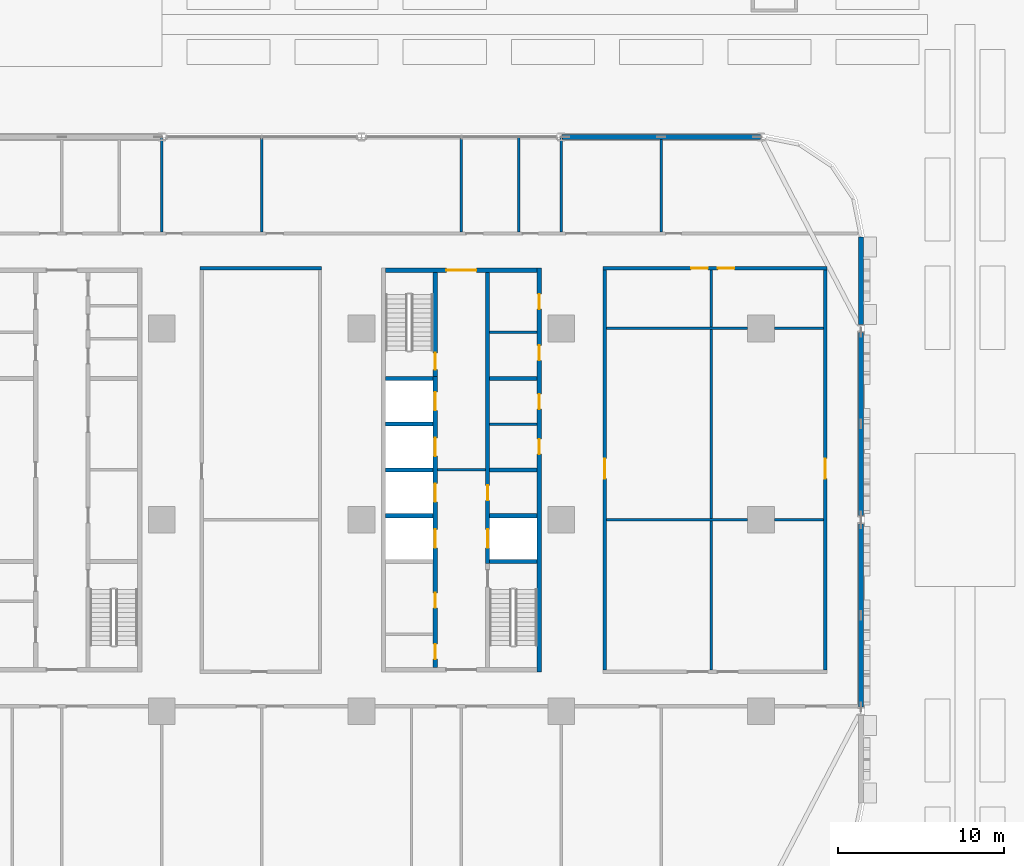
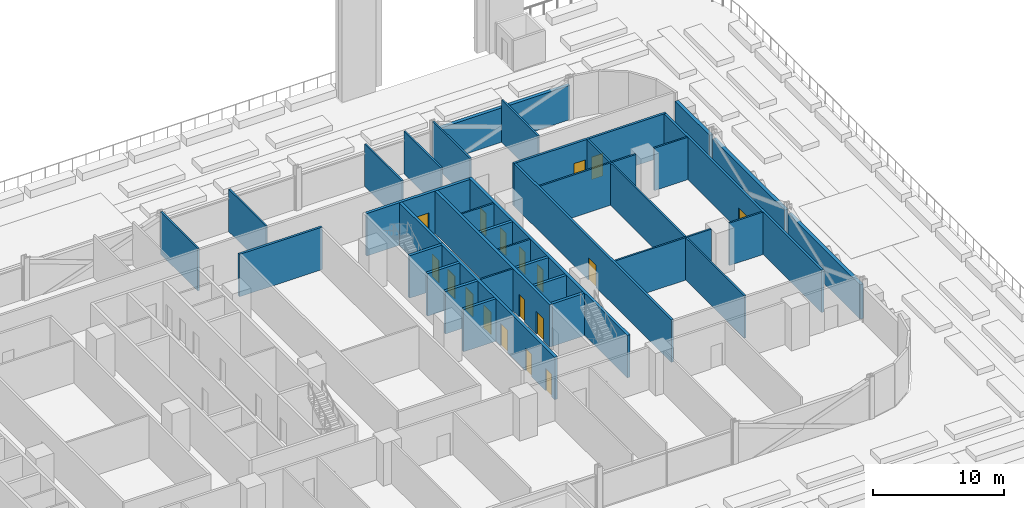
# One storey, part 17 of 39: 35 walls, 18 doors, 18 openings.
"""IFC4 building model written with IfcOpenShell, lengths in metres."""

import ifcopenshell
import ifcopenshell.guid

model = None  # the IFC model being written
_history = None  # IfcOwnerHistory: only IFC2X3 demands one
_inside = {}  # id of a spatial element -> (the spatial element, [elements in it])
_under = {}  # id of a project, library or spatial element -> (it, [spatial elements below it])
_declared = {}  # id of a project -> (the project, [libraries it declares])
_typed = {}  # id of a type object -> (the type object, [elements of that type])
_made_of = {}  # id of a material, layer set ... -> (it, [elements and type objects made of it])


def new_model(schema):
    """Start an empty IFC model of exactly this schema.

    Asked for "IFC4X3", IfcOpenShell would pick the latest addendum, in which some entities
    have other attributes; the version numbers below select the first issue.
    IFC2X3 requires an IfcOwnerHistory on every rooted entity: one is made here for all.
    """
    global model, _history
    if schema == "IFC4X3":
        model = ifcopenshell.file(schema_version=(4, 3, 0, 0))
    else:
        model = ifcopenshell.file(schema=schema)
    _inside.clear()
    _under.clear()
    _declared.clear()
    _typed.clear()
    _made_of.clear()
    _history = None
    if model.schema == "IFC2X3":
        org = make("IfcOrganization", Name="unknown")
        user = make(
            "IfcPersonAndOrganization",
            ThePerson=make("IfcPerson", FamilyName="unknown"),
            TheOrganization=org,
        )
        app = make(
            "IfcApplication",
            ApplicationDeveloper=org,
            Version="unknown",
            ApplicationFullName="unknown",
            ApplicationIdentifier="unknown",
        )
        _history = make(
            "IfcOwnerHistory",
            OwningUser=user,
            OwningApplication=app,
            ChangeAction="ADDED",
            CreationDate=0,
        )
    return model


def make(cls, **values):
    """One entity of the class cls with the attributes given. An attribute that is None is left unset."""
    return model.create_entity(
        cls, **{name: value for name, value in values.items() if value is not None}
    )


def rooted(cls, **values):
    """An entity with a GlobalId (a new one), such as an element, a storey or a relation."""
    return make(cls, GlobalId=ifcopenshell.guid.new(), OwnerHistory=_history, **values)


def si_unit(unit_type, name, prefix=None):
    """IfcSIUnit, for example si_unit("LENGTHUNIT", "METRE", prefix="MILLI")."""
    return make("IfcSIUnit", UnitType=unit_type, Prefix=prefix, Name=name)


def assignment(units):
    """IfcUnitAssignment: the units of a project."""
    return None if units is None else make("IfcUnitAssignment", Units=units)


def point(xyz):
    """IfcCartesianPoint."""
    return None if xyz is None else make("IfcCartesianPoint", Coordinates=xyz)


def direction(xyz):
    """IfcDirection."""
    return None if xyz is None else make("IfcDirection", DirectionRatios=xyz)


def frame(location, z_axis=None, x_axis=None):
    """IfcAxis2Placement3D, a coordinate frame: its origin and axes. An axis left out is left unset."""
    return make(
        "IfcAxis2Placement3D",
        Location=point(location),
        Axis=direction(z_axis),
        RefDirection=direction(x_axis),
    )


def frame_2d(location, x_axis=None):
    """IfcAxis2Placement2D, a coordinate frame in the plane: its origin and x axis."""
    return make(
        "IfcAxis2Placement2D", Location=point(location), RefDirection=direction(x_axis)
    )


def origin():
    """The frame at (0, 0, 0) with its axes left unset."""
    return frame((0.0, 0.0, 0.0))


def place(relative_to, where):
    """IfcLocalPlacement: puts the frame where relative to a parent placement (None: the world)."""
    return make(
        "IfcLocalPlacement", PlacementRelTo=relative_to, RelativePlacement=where
    )


def context(
    kind, dimensions, precision=None, world=None, true_north=None, identifier=None
):
    """IfcGeometricRepresentationContext, for example the 3D "Model" context."""
    return make(
        "IfcGeometricRepresentationContext",
        ContextIdentifier=identifier,
        ContextType=kind,
        CoordinateSpaceDimension=dimensions,
        Precision=precision,
        WorldCoordinateSystem=world,
        TrueNorth=true_north,
    )


def subcontext(parent, identifier, kind, view, scale=None):
    """IfcGeometricRepresentationSubContext, for example "Body" below "Model"."""
    return make(
        "IfcGeometricRepresentationSubContext",
        ContextIdentifier=identifier,
        ContextType=kind,
        ParentContext=parent,
        TargetScale=scale,
        TargetView=view,
    )


def project(units=None, contexts=None):
    """IfcProject with its units and contexts."""
    return rooted(
        "IfcProject",
        Name="project",
        RepresentationContexts=contexts,
        UnitsInContext=assignment(units),
    )


def spatial(cls, under=None, at=None, **own):
    """A site, building, storey or space (cls), placed at a placement, below another one or the project."""
    s = rooted(cls, ObjectPlacement=at, **own)
    if under is not None:
        _under.setdefault(under.id(), (under, []))[1].append(s)
    return s


def profile(cls, at=None, kind="AREA", **sizes):
    """A parametric profile (cls). Its sizes go by their IFC names, for example OverallWidth=200.0."""
    return make(cls, ProfileType=kind, Position=at, **sizes)


def rectangle(**sizes):
    """IfcRectangleProfileDef."""
    return profile("IfcRectangleProfileDef", **sizes)


def extrude(swept, where, along, depth):
    """IfcExtrudedAreaSolid: the profile swept, set in the frame where, extruded along a direction by depth."""
    return make(
        "IfcExtrudedAreaSolid",
        SweptArea=swept,
        Position=where,
        ExtrudedDirection=direction(along),
        Depth=depth,
    )


def shape(context_of_items, identifier, shape_type, items):
    """IfcShapeRepresentation: the items that make up one representation, for example the "Body"."""
    return make(
        "IfcShapeRepresentation",
        ContextOfItems=context_of_items,
        RepresentationIdentifier=identifier,
        RepresentationType=shape_type,
        Items=items,
    )


def material(Name=None, Category=None):
    """IfcMaterial."""
    return make("IfcMaterial", Name=Name, Category=Category)


def layer(
    of_material, thickness, ventilated=None, Name=None, Category=None, Priority=None
):
    """IfcMaterialLayer: one layer of a wall or slab, of a material (None: an air gap)."""
    return make(
        "IfcMaterialLayer",
        Material=of_material,
        LayerThickness=thickness,
        IsVentilated=ventilated,
        Name=Name,
        Category=Category,
        Priority=Priority,
    )


def layer_set(layers, Name=None):
    """IfcMaterialLayerSet."""
    return make("IfcMaterialLayerSet", MaterialLayers=layers, LayerSetName=Name)


def made_of(thing, what):
    """Note that an element or type object is made of a material, layer set ...; save() writes the relation."""
    if what is not None:
        _made_of.setdefault(what.id(), (what, []))[1].append(thing)
    return thing


def type_object(cls, material=None, **own):
    """A type object (cls), such as IfcWallType, which elements share."""
    return made_of(rooted(cls, **own), material)


def element(
    cls,
    number,
    at=None,
    inside=None,
    cuts=None,
    type_object=None,
    material=None,
    context=None,
    identifier="Body",
    shape_type=None,
    held_by="IfcProductDefinitionShape",
    body=None,
    shapes=None,
    **own,
):
    """One element of the class cls, such as IfcWall. Its Tag is "e" and its number.

    at: its placement. inside: the storey or other place that contains it. cuts: it is an
    opening in that element (IfcRelVoidsElement). A single representation is given by context,
    identifier, shape_type and body (its items); several are given by shapes. held_by: the class
    of the entity that holds the representations. save() writes the other relations.
    """
    e = rooted(cls, Tag="e%d" % number, ObjectPlacement=at, **own)
    if body is not None:
        shapes = [shape(context, identifier, shape_type, body)]
    if shapes is not None:
        e.Representation = make(held_by, Representations=shapes)
    if inside is not None:
        _inside.setdefault(inside.id(), (inside, []))[1].append(e)
    if cuts is not None:
        rooted(
            "IfcRelVoidsElement", RelatingBuildingElement=cuts, RelatedOpeningElement=e
        )
    if type_object is not None:
        _typed.setdefault(type_object.id(), (type_object, []))[1].append(e)
    return made_of(e, material)


def fill(opening, filler):
    """IfcRelFillsElement: the door or window that sits in an opening."""
    return rooted(
        "IfcRelFillsElement",
        RelatingOpeningElement=opening,
        RelatedBuildingElement=filler,
    )


def aggregate(whole, parts):
    """IfcRelAggregates: a whole, such as a stair, and the parts it consists of."""
    return rooted("IfcRelAggregates", RelatingObject=whole, RelatedObjects=parts)


def save(model, path):
    """Write the relations noted so far, then the file.

    IfcRelAggregates (storeys below a building ...), IfcRelContainedInSpatialStructure (elements
    in a storey), IfcRelDefinesByType, IfcRelAssociatesMaterial and IfcRelDeclares: one each for
    every whole, place, type object, material and project.
    """
    for whole, parts in _under.values():
        aggregate(whole, parts)
    for where, things in _inside.values():
        rooted(
            "IfcRelContainedInSpatialStructure",
            RelatedElements=things,
            RelatingStructure=where,
        )
    for kind, things in _typed.values():
        rooted("IfcRelDefinesByType", RelatedObjects=things, RelatingType=kind)
    for what, things in _made_of.values():
        rooted("IfcRelAssociatesMaterial", RelatedObjects=things, RelatingMaterial=what)
    for by, libraries in _declared.values():
        rooted("IfcRelDeclares", RelatingContext=by, RelatedDefinitions=libraries)
    model.write(path)


model = new_model("IFC4")

# Units and contexts
model_context = context("Model", 3, precision=1e-05, world=origin(), true_north=direction((0.0, 1.0)))
body_context = subcontext(model_context, "Body", "Model", "MODEL_VIEW")
ifc_project = project(units=[si_unit("LENGTHUNIT", "METRE"), si_unit("AREAUNIT", "SQUARE_METRE"), si_unit("VOLUMEUNIT", "CUBIC_METRE"), si_unit("PLANEANGLEUNIT", "RADIAN"), si_unit("MASSUNIT", "GRAM", prefix="KILO")], contexts=[model_context])

# Site, building, storey
site_placement = place(None, origin())
site = spatial("IfcSite", under=ifc_project, at=site_placement, CompositionType="ELEMENT")
building_placement = place(site_placement, origin())
building = spatial("IfcBuilding", under=site, at=building_placement, Name="Mahtab Terrace Research Tower", CompositionType="ELEMENT")
storey_placement = place(building_placement, frame((0.0, 0.0, 7.199951171875)))
storey = spatial("IfcBuildingStorey", under=building, at=storey_placement, Name="L01", CompositionType="ELEMENT", Elevation=7.199951171875)

# Walls
ifc_material_1 = material(Name="Gypsum board partition")
ifc_layer_1 = layer(ifc_material_1, 0.14990234375)
ifc_layer_set_1 = layer_set([ifc_layer_1], Name="Core partition 150")
wall_type_1 = type_object("IfcWallType", Name="Core partition 150", PredefinedType="PARTITIONING", material=ifc_layer_set_1)
wall_1_placement = place(storey_placement, frame((22.550048828125, 3.0, 0.0), z_axis=(0.0, 0.0, 1.0), x_axis=(1.0, 0.0, 0.0)))
element("IfcWall", 1, at=wall_1_placement, inside=storey, type_object=wall_type_1, Name="Core wall C ffl", PredefinedType="PARTITIONING", context=body_context, shape_type="SweptSolid", body=[
    extrude(rectangle(XDim=2.89990234375, YDim=0.14990234375, at=frame_2d((1.449951171875, 0.0))), origin(), (0.0, 0.0, 1.0), 3.9599609375),
])
for number, where, z_axis, x_axis, name in (
    (2, (25.699951171875, 5.75, 0.0), (0.0, 0.0, 1.0), (1.0, 0.0, 0.0), "Core wall C pEL275"),
    (3, (25.699951171875, 11.27490234375, 0.0), (0.0, 0.0, 1.0), (1.0, 0.0, 0.0), "Core wall C pEN828"),
):
    element("IfcWall", number, at=place(storey_placement, frame(where, z_axis=z_axis, x_axis=x_axis)), inside=storey, type_object=wall_type_1, Name=name, PredefinedType="PARTITIONING", context=body_context, shape_type="SweptSolid", body=[
        extrude(rectangle(XDim=2.85009765625, YDim=0.14990234375, at=frame_2d((1.425048828125, 0.0))), origin(), (0.0, 0.0, 1.0), 3.9599609375),
    ])

# Wall, openings, doors
ifc_material_2 = material(Name="Concrete C70/85", Category="concrete")
ifc_layer_2 = layer(ifc_material_2, 0.25)
ifc_layer_set_2 = layer_set([ifc_layer_2], Name="Core wall 250")
wall_type_2 = type_object("IfcWallType", Name="Core wall 250", PredefinedType="SOLIDWALL", material=ifc_layer_set_2)
wall_2_placement = place(storey_placement, frame((28.675048828125, -9.125, 0.0), z_axis=(0.0, 0.0, 1.0), x_axis=(0.0, 1.0, 0.0)))
wall_2 = element("IfcWall", 4, at=wall_2_placement, inside=storey, type_object=wall_type_2, Name="Core wall C outerE", PredefinedType="SOLIDWALL", context=body_context, shape_type="SweptSolid", body=[
    extrude(rectangle(XDim=24.25, YDim=0.25, at=frame_2d((12.125, 0.0))), origin(), (0.0, 0.0, 1.0), 3.9599609375),
])
opening_1_placement = place(wall_2_placement, frame((13.074951171875, 0.0, 0.0)))
opening_1 = element("IfcOpeningElement", 5, at=opening_1_placement, cuts=wall_2, Name="Opening C-R2", PredefinedType="OPENING", context=body_context, shape_type="SweptSolid", body=[
    extrude(rectangle(XDim=0.89990234375, YDim=2.10009765625, at=frame_2d((0.449951171875, 1.050048828125))), frame((0.0, 0.135009765625, 0.0), z_axis=(0.0, -1.0, 0.0), x_axis=(1.0, 0.0, 0.0)), (0.0, 0.0, 1.0), 0.27001953125),
])
opening_2_placement = place(wall_2_placement, frame((15.77490234375, 0.0, 0.0)))
opening_2 = element("IfcOpeningElement", 6, at=opening_2_placement, cuts=wall_2, Name="Opening C-R3", PredefinedType="OPENING", context=body_context, shape_type="SweptSolid", body=[
    extrude(rectangle(XDim=0.89990234375, YDim=2.10009765625, at=frame_2d((0.449951171875, 1.050048828125))), frame((0.0, 0.135009765625, 0.0), z_axis=(0.0, -1.0, 0.0), x_axis=(1.0, 0.0, 0.0)), (0.0, 0.0, 1.0), 0.27001953125),
])
opening_3_placement = place(wall_2_placement, frame((18.71240234375, 0.0, 0.0)))
opening_3 = element("IfcOpeningElement", 7, at=opening_3_placement, cuts=wall_2, Name="Opening C-R6", PredefinedType="OPENING", context=body_context, shape_type="SweptSolid", body=[
    extrude(rectangle(XDim=0.89990234375, YDim=2.10009765625, at=frame_2d((0.449951171875, 1.050048828125))), frame((0.0, 0.135009765625, 0.0), z_axis=(0.0, -1.0, 0.0), x_axis=(1.0, 0.0, 0.0)), (0.0, 0.0, 1.0), 0.27001953125),
])
opening_4_placement = place(wall_2_placement, frame((21.78759765625, 0.0, 0.0)))
opening_4 = element("IfcOpeningElement", 8, at=opening_4_placement, cuts=wall_2, Name="Opening C-R7", PredefinedType="OPENING", context=body_context, shape_type="SweptSolid", body=[
    extrude(rectangle(XDim=0.89990234375, YDim=2.10009765625, at=frame_2d((0.449951171875, 1.050048828125))), frame((0.0, 0.135009765625, 0.0), z_axis=(0.0, -1.0, 0.0), x_axis=(1.0, 0.0, 0.0)), (0.0, 0.0, 1.0), 0.27001953125),
])
ifc_material_3 = material(Name="Steel fire door", Category="steel")
door_type_1 = type_object("IfcDoorType", Name="Room door 900x2100 1 HR", OperationType="NOTDEFINED", PredefinedType="DOOR", material=ifc_material_3)
door_1_placement = place(opening_1_placement, origin())
door_1 = element("IfcDoor", 9, at=door_1_placement, inside=storey, type_object=door_type_1, Name="Document store door", OperationType="SINGLE_SWING_RIGHT", OverallHeight=2.10009765625, OverallWidth=0.89990234375, PredefinedType="DOOR", context=body_context, shape_type="SweptSolid", body=[
    extrude(rectangle(XDim=0.89990234375, YDim=2.10009765625, at=frame_2d((0.449951171875, 1.050048828125))), frame((0.0, 0.02490234375, 0.0), z_axis=(0.0, -1.0, 0.0), x_axis=(1.0, 0.0, 0.0)), (0.0, 0.0, 1.0), 0.050048828125),
])
fill(opening_1, door_1)
door_2_placement = place(opening_2_placement, origin())
door_2 = element("IfcDoor", 10, at=door_2_placement, inside=storey, type_object=door_type_1, Name="IT equipment room door", OperationType="SINGLE_SWING_LEFT", OverallHeight=2.10009765625, OverallWidth=0.89990234375, PredefinedType="DOOR", context=body_context, shape_type="SweptSolid", body=[
    extrude(rectangle(XDim=0.89990234375, YDim=2.10009765625, at=frame_2d((0.449951171875, 1.050048828125))), frame((0.0, 0.02490234375, 0.0), z_axis=(0.0, -1.0, 0.0), x_axis=(1.0, 0.0, 0.0)), (0.0, 0.0, 1.0), 0.050048828125),
])
fill(opening_2, door_2)
door_3_placement = place(opening_3_placement, origin())
door_3 = element("IfcDoor", 11, at=door_3_placement, inside=storey, type_object=door_type_1, Name="Mechanical riser room door", OperationType="SINGLE_SWING_RIGHT", OverallHeight=2.10009765625, OverallWidth=0.89990234375, PredefinedType="DOOR", context=body_context, shape_type="SweptSolid", body=[
    extrude(rectangle(XDim=0.89990234375, YDim=2.10009765625, at=frame_2d((0.449951171875, 1.050048828125))), frame((0.0, 0.02490234375, 0.0), z_axis=(0.0, -1.0, 0.0), x_axis=(1.0, 0.0, 0.0)), (0.0, 0.0, 1.0), 0.050048828125),
])
fill(opening_3, door_3)
door_4_placement = place(opening_4_placement, origin())
door_4 = element("IfcDoor", 12, at=door_4_placement, inside=storey, type_object=door_type_1, Name="Chemical store door", OperationType="SINGLE_SWING_LEFT", OverallHeight=2.10009765625, OverallWidth=0.89990234375, PredefinedType="DOOR", context=body_context, shape_type="SweptSolid", body=[
    extrude(rectangle(XDim=0.89990234375, YDim=2.10009765625, at=frame_2d((0.449951171875, 1.050048828125))), frame((0.0, 0.02490234375, 0.0), z_axis=(0.0, -1.0, 0.0), x_axis=(1.0, 0.0, 0.0)), (0.0, 0.0, 1.0), 0.050048828125),
])
fill(opening_4, door_4)

# Wall, opening, door
wall_3_placement = place(storey_placement, frame((19.449951171875, 15.0, 0.0), z_axis=(0.0, 0.0, 1.0), x_axis=(1.0, 0.0, 0.0)))
wall_3 = element("IfcWall", 13, at=wall_3_placement, inside=storey, type_object=wall_type_2, Name="Core wall C endN", PredefinedType="SOLIDWALL", context=body_context, shape_type="SweptSolid", body=[
    extrude(rectangle(XDim=9.10009765625, YDim=0.25, at=frame_2d((4.550048828125, 0.0))), origin(), (0.0, 0.0, 1.0), 3.9599609375),
])
opening_5_placement = place(wall_3_placement, frame((3.64990234375, 0.0, 0.0)))
opening_5 = element("IfcOpeningElement", 14, at=opening_5_placement, cuts=wall_3, Name="Opening C-N1", PredefinedType="OPENING", context=body_context, shape_type="SweptSolid", body=[
    extrude(rectangle(XDim=1.800048828125, YDim=2.10009765625, at=frame_2d((0.89990234375, 1.050048828125))), frame((0.0, 0.135009765625, 0.0), z_axis=(0.0, -1.0, 0.0), x_axis=(1.0, 0.0, 0.0)), (0.0, 0.0, 1.0), 0.27001953125),
])
door_type_2 = type_object("IfcDoorType", Name="Lobby double door 1800x2100 1 HR", OperationType="DOUBLE_DOOR_SINGLE_SWING", PredefinedType="DOOR", material=ifc_material_3)
door_5_placement = place(opening_5_placement, origin())
door_5 = element("IfcDoor", 15, at=door_5_placement, inside=storey, type_object=door_type_2, Name="Core entrance door C N", OperationType="DOUBLE_DOOR_SINGLE_SWING", OverallHeight=2.10009765625, OverallWidth=1.800048828125, PredefinedType="DOOR", context=body_context, shape_type="SweptSolid", body=[
    extrude(rectangle(XDim=1.800048828125, YDim=2.10009765625, at=frame_2d((0.89990234375, 1.050048828125))), frame((0.0, 0.02490234375, 0.0), z_axis=(0.0, -1.0, 0.0), x_axis=(1.0, 0.0, 0.0)), (0.0, 0.0, 1.0), 0.050048828125),
])
fill(opening_5, door_5)

# Wall, openings, doors
wall_4_placement = place(storey_placement, frame((22.425048828125, -8.875, 0.0), z_axis=(0.0, 0.0, 1.0), x_axis=(0.0, 1.0, 0.0)))
wall_4 = element("IfcWall", 16, at=wall_4_placement, inside=storey, type_object=wall_type_2, Name="Core wall C innerWSL", PredefinedType="SOLIDWALL", context=body_context, shape_type="SweptSolid", body=[
    extrude(rectangle(XDim=17.5, YDim=0.25, at=frame_2d((8.75, 0.0))), origin(), (0.0, 0.0, 1.0), 3.9599609375),
])
opening_6_placement = place(wall_4_placement, frame((7.199951171875, 0.0, 0.0)))
opening_6 = element("IfcOpeningElement", 17, at=opening_6_placement, cuts=wall_4, Name="Opening LD17-L01", PredefinedType="OPENING", context=body_context, shape_type="SweptSolid", body=[
    extrude(rectangle(XDim=1.10009765625, YDim=2.10009765625, at=frame_2d((0.550048828125, 1.050048828125))), frame((0.0, 0.135009765625, 0.0), z_axis=(0.0, -1.0, 0.0), x_axis=(1.0, 0.0, 0.0)), (0.0, 0.0, 1.0), 0.27001953125),
])
opening_7_placement = place(wall_4_placement, frame((9.949951171875, 0.0, 0.0)))
opening_7 = element("IfcOpeningElement", 18, at=opening_7_placement, cuts=wall_4, Name="Opening LD18-L01", PredefinedType="OPENING", context=body_context, shape_type="SweptSolid", body=[
    extrude(rectangle(XDim=1.10009765625, YDim=2.10009765625, at=frame_2d((0.550048828125, 1.050048828125))), frame((0.0, 0.135009765625, 0.0), z_axis=(0.0, -1.0, 0.0), x_axis=(1.0, 0.0, 0.0)), (0.0, 0.0, 1.0), 0.27001953125),
])
opening_8_placement = place(wall_4_placement, frame((12.699951171875, 0.0, 0.0)))
opening_8 = element("IfcOpeningElement", 19, at=opening_8_placement, cuts=wall_4, Name="Opening LD19-L01", PredefinedType="OPENING", context=body_context, shape_type="SweptSolid", body=[
    extrude(rectangle(XDim=1.10009765625, YDim=2.10009765625, at=frame_2d((0.550048828125, 1.050048828125))), frame((0.0, 0.135009765625, 0.0), z_axis=(0.0, -1.0, 0.0), x_axis=(1.0, 0.0, 0.0)), (0.0, 0.0, 1.0), 0.27001953125),
])
opening_9_placement = place(wall_4_placement, frame((15.449951171875, 0.0, 0.0)))
opening_9 = element("IfcOpeningElement", 20, at=opening_9_placement, cuts=wall_4, Name="Opening LD20-L01", PredefinedType="OPENING", context=body_context, shape_type="SweptSolid", body=[
    extrude(rectangle(XDim=1.10009765625, YDim=2.10009765625, at=frame_2d((0.550048828125, 1.050048828125))), frame((0.0, 0.135009765625, 0.0), z_axis=(0.0, -1.0, 0.0), x_axis=(1.0, 0.0, 0.0)), (0.0, 0.0, 1.0), 0.27001953125),
])
opening_10_placement = place(wall_4_placement, frame((0.512451171875, 0.0, 0.0)))
opening_10 = element("IfcOpeningElement", 21, at=opening_10_placement, cuts=wall_4, Name="Opening C-R4", PredefinedType="OPENING", context=body_context, shape_type="SweptSolid", body=[
    extrude(rectangle(XDim=0.89990234375, YDim=2.10009765625, at=frame_2d((0.449951171875, 1.050048828125))), frame((0.0, 0.135009765625, 0.0), z_axis=(0.0, -1.0, 0.0), x_axis=(1.0, 0.0, 0.0)), (0.0, 0.0, 1.0), 0.27001953125),
])
opening_11_placement = place(wall_4_placement, frame((3.58740234375, 0.0, 0.0)))
opening_11 = element("IfcOpeningElement", 22, at=opening_11_placement, cuts=wall_4, Name="Opening C-R5", PredefinedType="OPENING", context=body_context, shape_type="SweptSolid", body=[
    extrude(rectangle(XDim=0.89990234375, YDim=2.10009765625, at=frame_2d((0.449951171875, 1.050048828125))), frame((0.0, 0.135009765625, 0.0), z_axis=(0.0, -1.0, 0.0), x_axis=(1.0, 0.0, 0.0)), (0.0, 0.0, 1.0), 0.27001953125),
])
ifc_material_4 = material(Name="Stainless steel AISI 304", Category="steel")
door_type_3 = type_object("IfcDoorType", Name="Landing door 1100x2100", OperationType="DOUBLE_DOOR_SLIDING", PredefinedType="DOOR", material=ifc_material_4)
door_6_placement = place(opening_6_placement, origin())
door_6 = element("IfcDoor", 23, at=door_6_placement, inside=storey, type_object=door_type_3, Name="Landing door SV1 L01", OperationType="DOUBLE_DOOR_SLIDING", OverallHeight=2.10009765625, OverallWidth=1.10009765625, PredefinedType="DOOR", context=body_context, shape_type="SweptSolid", body=[
    extrude(rectangle(XDim=1.10009765625, YDim=2.10009765625, at=frame_2d((0.550048828125, 1.050048828125))), frame((0.0, 0.02490234375, 0.0), z_axis=(0.0, -1.0, 0.0), x_axis=(1.0, 0.0, 0.0)), (0.0, 0.0, 1.0), 0.050048828125),
])
fill(opening_6, door_6)
door_7_placement = place(opening_7_placement, origin())
door_7 = element("IfcDoor", 24, at=door_7_placement, inside=storey, type_object=door_type_3, Name="Landing door SV2 L01", OperationType="DOUBLE_DOOR_SLIDING", OverallHeight=2.10009765625, OverallWidth=1.10009765625, PredefinedType="DOOR", context=body_context, shape_type="SweptSolid", body=[
    extrude(rectangle(XDim=1.10009765625, YDim=2.10009765625, at=frame_2d((0.550048828125, 1.050048828125))), frame((0.0, 0.02490234375, 0.0), z_axis=(0.0, -1.0, 0.0), x_axis=(1.0, 0.0, 0.0)), (0.0, 0.0, 1.0), 0.050048828125),
])
fill(opening_7, door_7)
door_8_placement = place(opening_8_placement, origin())
door_8 = element("IfcDoor", 25, at=door_8_placement, inside=storey, type_object=door_type_3, Name="Landing door FF1 L01", OperationType="DOUBLE_DOOR_SLIDING", OverallHeight=2.10009765625, OverallWidth=1.10009765625, PredefinedType="DOOR", context=body_context, shape_type="SweptSolid", body=[
    extrude(rectangle(XDim=1.10009765625, YDim=2.10009765625, at=frame_2d((0.550048828125, 1.050048828125))), frame((0.0, 0.02490234375, 0.0), z_axis=(0.0, -1.0, 0.0), x_axis=(1.0, 0.0, 0.0)), (0.0, 0.0, 1.0), 0.050048828125),
])
fill(opening_8, door_8)
door_9_placement = place(opening_9_placement, origin())
door_9 = element("IfcDoor", 26, at=door_9_placement, inside=storey, type_object=door_type_3, Name="Landing door FF2 L01", OperationType="DOUBLE_DOOR_SLIDING", OverallHeight=2.10009765625, OverallWidth=1.10009765625, PredefinedType="DOOR", context=body_context, shape_type="SweptSolid", body=[
    extrude(rectangle(XDim=1.10009765625, YDim=2.10009765625, at=frame_2d((0.550048828125, 1.050048828125))), frame((0.0, 0.02490234375, 0.0), z_axis=(0.0, -1.0, 0.0), x_axis=(1.0, 0.0, 0.0)), (0.0, 0.0, 1.0), 0.050048828125),
])
fill(opening_9, door_9)
door_10_placement = place(opening_10_placement, origin())
door_10 = element("IfcDoor", 27, at=door_10_placement, inside=storey, type_object=door_type_1, Name="Accessible WC door", OperationType="SINGLE_SWING_RIGHT", OverallHeight=2.10009765625, OverallWidth=0.89990234375, PredefinedType="DOOR", context=body_context, shape_type="SweptSolid", body=[
    extrude(rectangle(XDim=0.89990234375, YDim=2.10009765625, at=frame_2d((0.449951171875, 1.050048828125))), frame((0.0, 0.02490234375, 0.0), z_axis=(0.0, -1.0, 0.0), x_axis=(1.0, 0.0, 0.0)), (0.0, 0.0, 1.0), 0.050048828125),
])
fill(opening_10, door_10)
door_11_placement = place(opening_11_placement, origin())
door_11 = element("IfcDoor", 28, at=door_11_placement, inside=storey, type_object=door_type_1, Name="WC block door", OperationType="SINGLE_SWING_LEFT", OverallHeight=2.10009765625, OverallWidth=0.89990234375, PredefinedType="DOOR", context=body_context, shape_type="SweptSolid", body=[
    extrude(rectangle(XDim=0.89990234375, YDim=2.10009765625, at=frame_2d((0.449951171875, 1.050048828125))), frame((0.0, 0.02490234375, 0.0), z_axis=(0.0, -1.0, 0.0), x_axis=(1.0, 0.0, 0.0)), (0.0, 0.0, 1.0), 0.050048828125),
])
fill(opening_11, door_11)

# Wall, opening, door
wall_5_placement = place(storey_placement, frame((22.425048828125, 14.875, 0.0), z_axis=(0.0, 0.0, 1.0), x_axis=(0.0, -1.0, 0.0)))
wall_5 = element("IfcWall", 29, at=wall_5_placement, inside=storey, type_object=wall_type_2, Name="Core wall C innerWN", PredefinedType="SOLIDWALL", context=body_context, shape_type="SweptSolid", body=[
    extrude(rectangle(XDim=6.25, YDim=0.25, at=frame_2d((3.125, 0.0))), origin(), (0.0, 0.0, 1.0), 3.9599609375),
])
opening_12_placement = place(wall_5_placement, frame((4.85009765625, 0.0, 0.0)))
opening_12 = element("IfcOpeningElement", 30, at=opening_12_placement, cuts=wall_5, Name="Opening C-ST3", PredefinedType="OPENING", context=body_context, shape_type="SweptSolid", body=[
    extrude(rectangle(XDim=1.0, YDim=2.10009765625, at=frame_2d((0.5, 1.050048828125))), frame((0.0, 0.135009765625, 0.0), z_axis=(0.0, -1.0, 0.0), x_axis=(1.0, 0.0, 0.0)), (0.0, 0.0, 1.0), 0.27001953125),
])
door_type_4 = type_object("IfcDoorType", Name="Stair door 1000x2100 1.5 HR", OperationType="NOTDEFINED", PredefinedType="DOOR", material=ifc_material_3)
door_12_placement = place(opening_12_placement, origin())
door_12 = element("IfcDoor", 31, at=door_12_placement, inside=storey, type_object=door_type_4, Name="Stair door ST3 L01", OperationType="SINGLE_SWING_RIGHT", OverallHeight=2.10009765625, OverallWidth=1.0, PredefinedType="DOOR", context=body_context, shape_type="SweptSolid", body=[
    extrude(rectangle(XDim=1.0, YDim=2.10009765625, at=frame_2d((0.5, 1.050048828125))), frame((0.0, 0.02490234375, 0.0), z_axis=(0.0, -1.0, 0.0), x_axis=(1.0, 0.0, 0.0)), (0.0, 0.0, 1.0), 0.050048828125),
])
fill(opening_12, door_12)

# Wall, openings, doors
wall_6_placement = place(storey_placement, frame((25.574951171875, 14.875, 0.0), z_axis=(0.0, 0.0, 1.0), x_axis=(0.0, -1.0, 0.0)))
wall_6 = element("IfcWall", 32, at=wall_6_placement, inside=storey, type_object=wall_type_2, Name="Core wall C innerELN", PredefinedType="SOLIDWALL", context=body_context, shape_type="SweptSolid", body=[
    extrude(rectangle(XDim=17.5, YDim=0.25, at=frame_2d((8.75, 0.0))), origin(), (0.0, 0.0, 1.0), 3.9599609375),
])
opening_13_placement = place(wall_6_placement, frame((15.449951171875, 0.0, 0.0)))
opening_13 = element("IfcOpeningElement", 33, at=opening_13_placement, cuts=wall_6, Name="Opening LD21-L01", PredefinedType="OPENING", context=body_context, shape_type="SweptSolid", body=[
    extrude(rectangle(XDim=1.10009765625, YDim=2.10009765625, at=frame_2d((0.550048828125, 1.050048828125))), frame((0.0, 0.135009765625, 0.0), z_axis=(0.0, -1.0, 0.0), x_axis=(1.0, 0.0, 0.0)), (0.0, 0.0, 1.0), 0.27001953125),
])
opening_14_placement = place(wall_6_placement, frame((12.800048828125, 0.0, 0.0)))
opening_14 = element("IfcOpeningElement", 34, at=opening_14_placement, cuts=wall_6, Name="Opening C-R1", PredefinedType="OPENING", context=body_context, shape_type="SweptSolid", body=[
    extrude(rectangle(XDim=0.89990234375, YDim=2.10009765625, at=frame_2d((0.449951171875, 1.050048828125))), frame((0.0, 0.135009765625, 0.0), z_axis=(0.0, -1.0, 0.0), x_axis=(1.0, 0.0, 0.0)), (0.0, 0.0, 1.0), 0.27001953125),
])
door_13_placement = place(opening_13_placement, origin())
door_13 = element("IfcDoor", 35, at=door_13_placement, inside=storey, type_object=door_type_3, Name="Landing door SV3 L01", OperationType="DOUBLE_DOOR_SLIDING", OverallHeight=2.10009765625, OverallWidth=1.10009765625, PredefinedType="DOOR", context=body_context, shape_type="SweptSolid", body=[
    extrude(rectangle(XDim=1.10009765625, YDim=2.10009765625, at=frame_2d((0.550048828125, 1.050048828125))), frame((0.0, 0.02490234375, 0.0), z_axis=(0.0, -1.0, 0.0), x_axis=(1.0, 0.0, 0.0)), (0.0, 0.0, 1.0), 0.050048828125),
])
fill(opening_13, door_13)
door_14_placement = place(opening_14_placement, origin())
door_14 = element("IfcDoor", 36, at=door_14_placement, inside=storey, type_object=door_type_1, Name="Plant room door", OperationType="SINGLE_SWING_LEFT", OverallHeight=2.10009765625, OverallWidth=0.89990234375, PredefinedType="DOOR", context=body_context, shape_type="SweptSolid", body=[
    extrude(rectangle(XDim=0.89990234375, YDim=2.10009765625, at=frame_2d((0.449951171875, 1.050048828125))), frame((0.0, 0.02490234375, 0.0), z_axis=(0.0, -1.0, 0.0), x_axis=(1.0, 0.0, 0.0)), (0.0, 0.0, 1.0), 0.050048828125),
])
fill(opening_14, door_14)

# Walls
for number, where, z_axis, x_axis, name in (
    (37, (19.449951171875, 0.25, 0.0), (0.0, 0.0, 1.0), (1.0, 0.0, 0.0), "Core wall C divW1"),
    (38, (19.449951171875, 3.0, 0.0), (0.0, 0.0, 1.0), (1.0, 0.0, 0.0), "Core wall C divW2"),
    (39, (19.449951171875, 5.75, 0.0), (0.0, 0.0, 1.0), (1.0, 0.0, 0.0), "Core wall C divW3"),
    (40, (19.449951171875, 8.5, 0.0), (0.0, 0.0, 1.0), (1.0, 0.0, 0.0), "Core wall C divW4"),
    (41, (25.699951171875, -2.5, 0.0), (0.0, 0.0, 1.0), (1.0, 0.0, 0.0), "Core wall C divE0"),
    (42, (25.699951171875, 0.25, 0.0), (0.0, 0.0, 1.0), (1.0, 0.0, 0.0), "Core wall C divE1"),
    (43, (25.699951171875, 3.0, 0.0), (0.0, 0.0, 1.0), (1.0, 0.0, 0.0), "Core wall C divE2"),
    (44, (25.699951171875, 8.5, 0.0), (0.0, 0.0, 1.0), (1.0, 0.0, 0.0), "Core wall C divE4"),
):
    element("IfcWall", number, at=place(storey_placement, frame(where, z_axis=z_axis, x_axis=x_axis)), inside=storey, type_object=wall_type_2, Name=name, PredefinedType="SOLIDWALL", context=body_context, shape_type="SweptSolid", body=[
        extrude(rectangle(XDim=2.85009765625, YDim=0.25, at=frame_2d((1.425048828125, 0.0))), origin(), (0.0, 0.0, 1.0), 3.9599609375),
    ])
ifc_material_5 = material(Name="Black aluminium cladding panel", Category="aluminium")
ifc_layer_3 = layer(ifc_material_5, 0.300048828125)
ifc_layer_set_3 = layer_set([ifc_layer_3], Name="Opaque facade wall 300")
wall_type_3 = type_object("IfcWallType", Name="Opaque facade wall 300", PredefinedType="NOTDEFINED", material=ifc_layer_set_3)
wall_7_placement = place(storey_placement, frame((41.97216796875, 23.0, 0.0), z_axis=(0.0, 0.0, 1.0), x_axis=(-1.0, 0.0, 0.0)))
element("IfcWall", 45, at=wall_7_placement, inside=storey, type_object=wall_type_3, Name="Opaque facade wall L01 N3", PredefinedType="NOTDEFINED", context=body_context, shape_type="SweptSolid", body=[
    extrude(rectangle(XDim=11.9443359375, YDim=0.300048828125, at=frame_2d((5.97216796875, 0.0))), origin(), (0.0, 0.0, 1.0), 3.203125),
])
for number, where, z_axis, x_axis, name in (
    (46, (48.0, -11.2509765625, 0.0), (0.0, 0.0, 1.0), (0.0, 1.0, 0.0), "Opaque facade wall L01 E34"),
    (47, (48.0, 0.2490234375, 0.0), (0.0, 0.0, 1.0), (0.0, 1.0, 0.0), "Opaque facade wall L01 E35"),
):
    element("IfcWall", number, at=place(storey_placement, frame(where, z_axis=z_axis, x_axis=x_axis)), inside=storey, type_object=wall_type_3, Name=name, PredefinedType="NOTDEFINED", context=body_context, shape_type="SweptSolid", body=[
        extrude(rectangle(XDim=11.001953125, YDim=0.300048828125, at=frame_2d((5.5009765625, 0.0))), origin(), (0.0, 0.0, 1.0), 3.203125),
    ])
wall_8_placement = place(storey_placement, frame((48.0, 11.7490234375, 0.0), z_axis=(0.0, 0.0, 1.0), x_axis=(0.0, 1.0, 0.0)))
element("IfcWall", 48, at=wall_8_placement, inside=storey, type_object=wall_type_3, Name="Opaque facade wall L01 E36", PredefinedType="NOTDEFINED", context=body_context, shape_type="SweptSolid", body=[
    extrude(rectangle(XDim=5.2509765625, YDim=0.300048828125, at=frame_2d((2.62548828125, 0.0))), origin(), (0.0, 0.0, 1.0), 3.203125),
])
ifc_material_6 = material(Name="Gypsum board corridor wall on steel studs", Category="steel")
ifc_layer_4 = layer(ifc_material_6, 0.199951171875)
ifc_layer_set_4 = layer_set([ifc_layer_4], Name="WALL CORRIDOR 200")
wall_type_4 = type_object("IfcWallType", Name="WALL CORRIDOR 200", PredefinedType="PARTITIONING", material=ifc_layer_set_4)
wall_9_placement = place(storey_placement, frame((8.300048828125, 15.125, 0.0), z_axis=(0.0, 0.0, 1.0), x_axis=(1.0, 0.0, 0.0)))
element("IfcWall", 49, at=wall_9_placement, inside=storey, type_object=wall_type_4, Name="L01-W025", PredefinedType="PARTITIONING", context=body_context, shape_type="SweptSolid", body=[
    extrude(rectangle(XDim=7.300048828125, YDim=0.199951171875, at=frame_2d((3.64990234375, 0.0))), origin(), (0.0, 0.0, 1.0), 3.9599609375),
])

# Wall, openings, doors
wall_10_placement = place(storey_placement, frame((32.5, 15.125, 0.0), z_axis=(0.0, 0.0, 1.0), x_axis=(1.0, 0.0, 0.0)))
wall_10 = element("IfcWall", 50, at=wall_10_placement, inside=storey, type_object=wall_type_4, Name="L01-W026", PredefinedType="PARTITIONING", context=body_context, shape_type="SweptSolid", body=[
    extrude(rectangle(XDim=13.449951171875, YDim=0.199951171875, at=frame_2d((6.72509765625, 0.0))), origin(), (0.0, 0.0, 1.0), 3.9599609375),
])
opening_15_placement = place(wall_10_placement, frame((5.300048828125, 0.0, 0.0)))
opening_15 = element("IfcOpeningElement", 51, at=opening_15_placement, cuts=wall_10, Name="Opening L01-129", PredefinedType="OPENING", context=body_context, shape_type="SweptSolid", body=[
    extrude(rectangle(XDim=1.0, YDim=2.10009765625, at=frame_2d((0.5, 1.050048828125))), frame((0.0, 0.10986328125, 0.0), z_axis=(0.0, -1.0, 0.0), x_axis=(1.0, 0.0, 0.0)), (0.0, 0.0, 1.0), 0.219970703125),
])
opening_16_placement = place(wall_10_placement, frame((6.89990234375, 0.0, 0.0)))
opening_16 = element("IfcOpeningElement", 52, at=opening_16_placement, cuts=wall_10, Name="Opening L01-130", PredefinedType="OPENING", context=body_context, shape_type="SweptSolid", body=[
    extrude(rectangle(XDim=1.0, YDim=2.10009765625, at=frame_2d((0.5, 1.050048828125))), frame((0.0, 0.10986328125, 0.0), z_axis=(0.0, -1.0, 0.0), x_axis=(1.0, 0.0, 0.0)), (0.0, 0.0, 1.0), 0.219970703125),
])
ifc_material_7 = material(Name="Timber door leaf in steel frame", Category="steel")
door_type_5 = type_object("IfcDoorType", Name="DOOR 1000X2100 FD30S", OperationType="SINGLE_SWING_LEFT", PredefinedType="DOOR", material=ifc_material_7)
door_15_placement = place(opening_15_placement, origin())
door_15 = element("IfcDoor", 53, at=door_15_placement, inside=storey, type_object=door_type_5, Name="Door L01-129", OperationType="SINGLE_SWING_RIGHT", OverallHeight=2.10009765625, OverallWidth=1.0, PredefinedType="DOOR", context=body_context, shape_type="SweptSolid", body=[
    extrude(rectangle(XDim=1.0, YDim=2.10009765625, at=frame_2d((0.5, 1.050048828125))), frame((0.0, 0.02490234375, 0.0), z_axis=(0.0, -1.0, 0.0), x_axis=(1.0, 0.0, 0.0)), (0.0, 0.0, 1.0), 0.050048828125),
])
fill(opening_15, door_15)
door_16_placement = place(opening_16_placement, origin())
door_16 = element("IfcDoor", 54, at=door_16_placement, inside=storey, type_object=door_type_5, Name="Door L01-130", OperationType="SINGLE_SWING_LEFT", OverallHeight=2.10009765625, OverallWidth=1.0, PredefinedType="DOOR", context=body_context, shape_type="SweptSolid", body=[
    extrude(rectangle(XDim=1.0, YDim=2.10009765625, at=frame_2d((0.5, 1.050048828125))), frame((0.0, 0.02490234375, 0.0), z_axis=(0.0, -1.0, 0.0), x_axis=(1.0, 0.0, 0.0)), (0.0, 0.0, 1.0), 0.050048828125),
])
fill(opening_16, door_16)

# Wall, opening, door
wall_11_placement = place(storey_placement, frame((32.60009765625, -9.02490234375, 0.0), z_axis=(0.0, 0.0, 1.0), x_axis=(0.0, 1.0, 0.0)))
wall_11 = element("IfcWall", 55, at=wall_11_placement, inside=storey, type_object=wall_type_4, Name="L01-W061", PredefinedType="PARTITIONING", context=body_context, shape_type="SweptSolid", body=[
    extrude(rectangle(XDim=24.0498046875, YDim=0.199951171875, at=frame_2d((12.02490234375, 0.0))), origin(), (0.0, 0.0, 1.0), 3.9599609375),
])
opening_17_placement = place(wall_11_placement, frame((11.5, 0.0, 0.0)))
opening_17 = element("IfcOpeningElement", 56, at=opening_17_placement, cuts=wall_11, Name="Opening L01-123", PredefinedType="OPENING", context=body_context, shape_type="SweptSolid", body=[
    extrude(rectangle(XDim=1.199951171875, YDim=2.10009765625, at=frame_2d((0.60009765625, 1.050048828125))), frame((0.0, 0.10986328125, 0.0), z_axis=(0.0, -1.0, 0.0), x_axis=(1.0, 0.0, 0.0)), (0.0, 0.0, 1.0), 0.219970703125),
])
door_type_6 = type_object("IfcDoorType", Name="DOOR 1200X2100 FD30S", OperationType="SINGLE_SWING_LEFT", PredefinedType="DOOR", material=ifc_material_7)
door_17_placement = place(opening_17_placement, origin())
door_17 = element("IfcDoor", 57, at=door_17_placement, inside=storey, type_object=door_type_6, Name="Door L01-123", OperationType="SINGLE_SWING_LEFT", OverallHeight=2.10009765625, OverallWidth=1.199951171875, PredefinedType="DOOR", context=body_context, shape_type="SweptSolid", body=[
    extrude(rectangle(XDim=1.199951171875, YDim=2.10009765625, at=frame_2d((0.60009765625, 1.050048828125))), frame((0.0, 0.02490234375, 0.0), z_axis=(0.0, -1.0, 0.0), x_axis=(1.0, 0.0, 0.0)), (0.0, 0.0, 1.0), 0.050048828125),
])
fill(opening_17, door_17)

wall_12_placement = place(storey_placement, frame((45.85009765625, -9.02490234375, 0.0), z_axis=(0.0, 0.0, 1.0), x_axis=(0.0, 1.0, 0.0)))
wall_12 = element("IfcWall", 58, at=wall_12_placement, inside=storey, type_object=wall_type_4, Name="L01-W065", PredefinedType="PARTITIONING", context=body_context, shape_type="SweptSolid", body=[
    extrude(rectangle(XDim=24.0498046875, YDim=0.199951171875, at=frame_2d((12.02490234375, 0.0))), origin(), (0.0, 0.0, 1.0), 3.9599609375),
])
opening_18_placement = place(wall_12_placement, frame((11.5, 0.0, 0.0)))
opening_18 = element("IfcOpeningElement", 59, at=opening_18_placement, cuts=wall_12, Name="Opening L01-124", PredefinedType="OPENING", context=body_context, shape_type="SweptSolid", body=[
    extrude(rectangle(XDim=1.199951171875, YDim=2.10009765625, at=frame_2d((0.60009765625, 1.050048828125))), frame((0.0, 0.10986328125, 0.0), z_axis=(0.0, -1.0, 0.0), x_axis=(1.0, 0.0, 0.0)), (0.0, 0.0, 1.0), 0.219970703125),
])
door_18_placement = place(opening_18_placement, origin())
door_18 = element("IfcDoor", 60, at=door_18_placement, inside=storey, type_object=door_type_6, Name="Door L01-124", OperationType="SINGLE_SWING_RIGHT", OverallHeight=2.10009765625, OverallWidth=1.199951171875, PredefinedType="DOOR", context=body_context, shape_type="SweptSolid", body=[
    extrude(rectangle(XDim=1.199951171875, YDim=2.10009765625, at=frame_2d((0.60009765625, 1.050048828125))), frame((0.0, 0.02490234375, 0.0), z_axis=(0.0, -1.0, 0.0), x_axis=(1.0, 0.0, 0.0)), (0.0, 0.0, 1.0), 0.050048828125),
])
fill(opening_18, door_18)

# Walls
ifc_material_8 = material(Name="Gypsum board partition on steel studs", Category="steel")
ifc_layer_5 = layer(ifc_material_8, 0.14990234375)
ifc_layer_set_5 = layer_set([ifc_layer_5], Name="WALL PARTITION 150")
wall_type_5 = type_object("IfcWallType", Name="WALL PARTITION 150", PredefinedType="PARTITIONING", material=ifc_layer_set_5)
wall_13_placement = place(storey_placement, frame((32.699951171875, 0.0, 0.0), z_axis=(0.0, 0.0, 1.0), x_axis=(1.0, 0.0, 0.0)))
element("IfcWall", 61, at=wall_13_placement, inside=storey, type_object=wall_type_5, Name="L01-W018", PredefinedType="PARTITIONING", context=body_context, shape_type="SweptSolid", body=[
    extrude(rectangle(XDim=8.5, YDim=0.14990234375, at=frame_2d((4.25, 0.0))), origin(), (0.0, 0.0, 1.0), 3.9599609375),
])
wall_14_placement = place(storey_placement, frame((42.800048828125, 0.0, 0.0), z_axis=(0.0, 0.0, 1.0), x_axis=(1.0, 0.0, 0.0)))
element("IfcWall", 62, at=wall_14_placement, inside=storey, type_object=wall_type_5, Name="L01-W019", PredefinedType="PARTITIONING", context=body_context, shape_type="SweptSolid", body=[
    extrude(rectangle(XDim=2.949951171875, YDim=0.14990234375, at=frame_2d((1.47509765625, 0.0))), origin(), (0.0, 0.0, 1.0), 3.9599609375),
])
wall_15_placement = place(storey_placement, frame((32.699951171875, 11.5, 0.0), z_axis=(0.0, 0.0, 1.0), x_axis=(1.0, 0.0, 0.0)))
element("IfcWall", 63, at=wall_15_placement, inside=storey, type_object=wall_type_5, Name="L01-W021", PredefinedType="PARTITIONING", context=body_context, shape_type="SweptSolid", body=[
    extrude(rectangle(XDim=8.5, YDim=0.14990234375, at=frame_2d((4.25, 0.0))), origin(), (0.0, 0.0, 1.0), 3.9599609375),
])
wall_16_placement = place(storey_placement, frame((42.800048828125, 11.5, 0.0), z_axis=(0.0, 0.0, 1.0), x_axis=(1.0, 0.0, 0.0)))
element("IfcWall", 64, at=wall_16_placement, inside=storey, type_object=wall_type_5, Name="L01-W022", PredefinedType="PARTITIONING", context=body_context, shape_type="SweptSolid", body=[
    extrude(rectangle(XDim=2.949951171875, YDim=0.14990234375, at=frame_2d((1.47509765625, 0.0))), origin(), (0.0, 0.0, 1.0), 3.9599609375),
])
for number, where, z_axis, x_axis, name in (
    (65, (6.0, 17.300048828125, 0.0), (0.0, 0.0, 1.0), (0.0, 1.0, 0.0), "L01-W050"),
    (66, (12.0, 17.300048828125, 0.0), (0.0, 0.0, 1.0), (0.0, 1.0, 0.0), "L01-W053"),
    (67, (24.0, 17.300048828125, 0.0), (0.0, 0.0, 1.0), (0.0, 1.0, 0.0), "L01-W057"),
    (68, (27.449951171875, 17.300048828125, 0.0), (0.0, 0.0, 1.0), (0.0, 1.0, 0.0), "L01-W058"),
    (69, (30.0, 17.300048828125, 0.0), (0.0, 0.0, 1.0), (0.0, 1.0, 0.0), "L01-W060"),
):
    element("IfcWall", number, at=place(storey_placement, frame(where, z_axis=z_axis, x_axis=x_axis)), inside=storey, type_object=wall_type_5, Name=name, PredefinedType="PARTITIONING", context=body_context, shape_type="SweptSolid", body=[
        extrude(rectangle(XDim=5.675048828125, YDim=0.14990234375, at=frame_2d((2.83740234375, 0.0))), origin(), (0.0, 0.0, 1.0), 3.9599609375),
    ])
wall_17_placement = place(storey_placement, frame((36.0, 17.300048828125, 0.0), z_axis=(0.0, 0.0, 1.0), x_axis=(0.0, 1.0, 0.0)))
element("IfcWall", 70, at=wall_17_placement, inside=storey, type_object=wall_type_5, Name="L01-W063", PredefinedType="PARTITIONING", context=body_context, shape_type="SweptSolid", body=[
    extrude(rectangle(XDim=5.550048828125, YDim=0.14990234375, at=frame_2d((2.77490234375, 0.0))), origin(), (0.0, 0.0, 1.0), 3.9599609375),
])
wall_18_placement = place(storey_placement, frame((39.0, -9.02490234375, 0.0), z_axis=(0.0, 0.0, 1.0), x_axis=(0.0, 1.0, 0.0)))
element("IfcWall", 71, at=wall_18_placement, inside=storey, type_object=wall_type_5, Name="L01-W064", PredefinedType="PARTITIONING", context=body_context, shape_type="SweptSolid", body=[
    extrude(rectangle(XDim=24.0498046875, YDim=0.14990234375, at=frame_2d((12.02490234375, 0.0))), origin(), (0.0, 0.0, 1.0), 3.9599609375),
])

save(model, "model.ifc")
